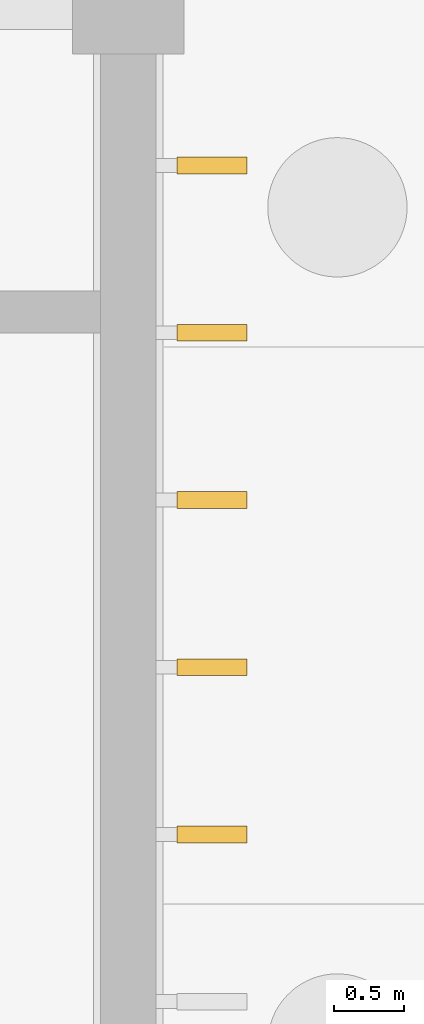
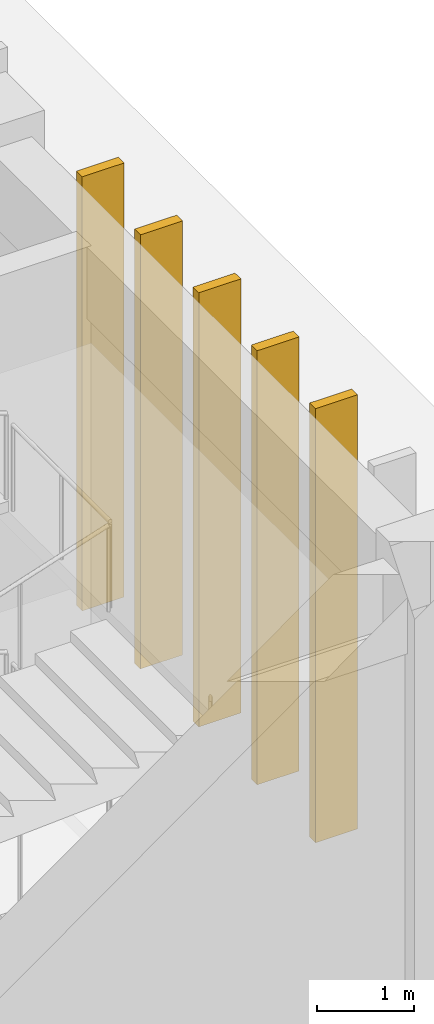
# One storey, part 189 of 198: 5 coverings.
"""IFC4 building model written with IfcOpenShell, lengths in metres."""

from ifc_helpers import new_model, si_unit, direction, frame, origin, origin_2d, place, context, subcontext, project, spatial, rectangle, extrude, material, layer, layer_set, type_object, element, save


model = new_model("IFC4")

# Units and contexts
model_context = context("Model", 3, precision=1e-05, world=origin(), true_north=direction((0.0, 1.0)))
body_context = subcontext(model_context, "Body", "Model", "MODEL_VIEW")
ifc_project = project(units=[si_unit("LENGTHUNIT", "METRE"), si_unit("AREAUNIT", "SQUARE_METRE"), si_unit("VOLUMEUNIT", "CUBIC_METRE"), si_unit("PLANEANGLEUNIT", "RADIAN"), si_unit("MASSUNIT", "GRAM", prefix="KILO")], contexts=[model_context])

# Site, building, storey
site_placement = place(None, origin())
site = spatial("IfcSite", under=ifc_project, at=site_placement, CompositionType="ELEMENT")
building_placement = place(site_placement, origin())
building = spatial("IfcBuilding", under=site, at=building_placement, Name="Opaline Strait Convention Centre", CompositionType="ELEMENT")
storey_placement = place(building_placement, origin())
storey = spatial("IfcBuildingStorey", under=building, at=storey_placement, Name="L00", CompositionType="ELEMENT", Elevation=0.0)

# Coverings
ifc_material = material(Name="Aluminium alloy 6063-T5", Category="aluminium")
ifc_layer = layer(ifc_material, 0.1201171875)
ifc_layer_set = layer_set([ifc_layer], Name="Aluminium alloy 6063-T5")
covering_type = type_object("IfcCoveringType", Name="Storm louvre fin 120 x 500 aluminium", PredefinedType="CLADDING", material=ifc_layer_set)
for number, where, z_axis, x_axis, name in (
    (1, (360.60009765625, 93.0, 0.25), (0.0, 0.0, 1.0), (1.0, 0.0, 0.0), "Storm louvre fin E L00"),
    (2, (360.60009765625, 94.199951171875, 0.25), (0.0, 0.0, 1.0), (1.0, 0.0, 0.0), "Storm louvre fin E L00"),
    (3, (360.60009765625, 95.39990234375, 0.25), (0.0, 0.0, 1.0), (1.0, 0.0, 0.0), "Storm louvre fin E L00"),
    (4, (360.60009765625, 96.60009765625, 0.25), (0.0, 0.0, 1.0), (1.0, 0.0, 0.0), "Storm louvre fin E L00"),
    (5, (360.60009765625, 97.800048828125, 0.25), (0.0, 0.0, 1.0), (1.0, 0.0, 0.0), "Storm louvre fin E L00"),
):
    element("IfcCovering", number, at=place(storey_placement, frame(where, z_axis=z_axis, x_axis=x_axis)), inside=storey, type_object=covering_type, Name=name, PredefinedType="CLADDING", context=body_context, shape_type="SweptSolid", body=[
        extrude(rectangle(XDim=0.5, YDim=0.1201171875, at=origin_2d()), origin(), (0.0, 0.0, 1.0), 5.449951171875),
    ])

save(model, "model.ifc")
